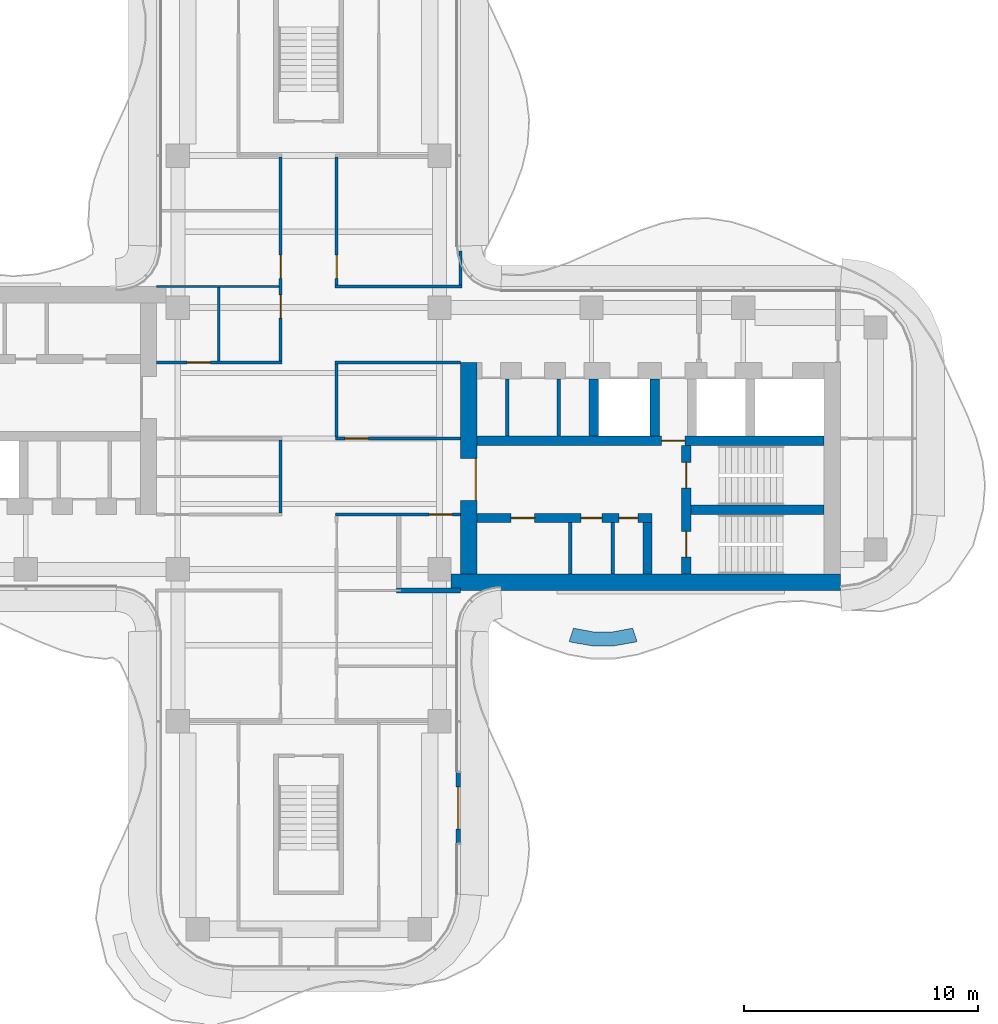
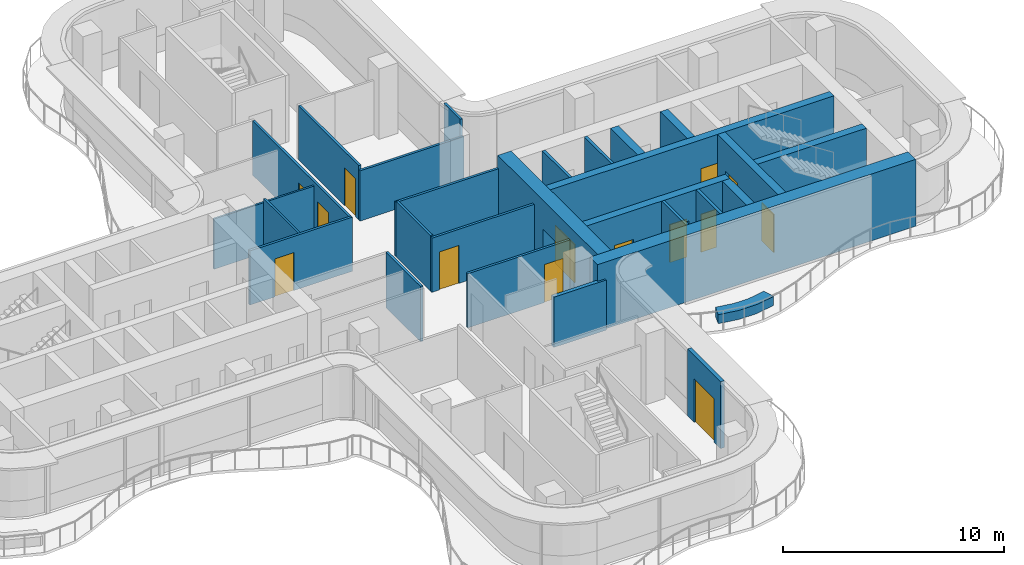
# One storey, part 12 of 16: 28 walls, 14 doors, 14 openings.
"""IFC4 building model written with IfcOpenShell, lengths in metres."""

from ifc_helpers import new_model, si_unit, direction, frame, frame_2d, origin, place, context, subcontext, project, spatial, polyline, rectangle, outline, extrude, source, transform, mapped, material, layer, layer_set, type_object, element, fill, save


model = new_model("IFC4")

# Units and contexts
model_context = context("Model", 3, precision=1e-05, world=origin(), true_north=direction((0.0, 1.0)))
body_context = subcontext(model_context, "Body", "Model", "MODEL_VIEW")
ifc_project = project(units=[si_unit("LENGTHUNIT", "METRE"), si_unit("AREAUNIT", "SQUARE_METRE"), si_unit("VOLUMEUNIT", "CUBIC_METRE"), si_unit("PLANEANGLEUNIT", "RADIAN"), si_unit("MASSUNIT", "GRAM", prefix="KILO")], contexts=[model_context])

# Site, building, storey
site_placement = place(None, origin())
site = spatial("IfcSite", under=ifc_project, at=site_placement, CompositionType="ELEMENT")
building_placement = place(site_placement, origin())
building = spatial("IfcBuilding", under=site, at=building_placement, Name="Trellis Farm Tower", CompositionType="ELEMENT")
storey_placement = place(building_placement, frame((0.0, 0.0, 291.10009765625)))
storey = spatial("IfcBuildingStorey", under=building, at=storey_placement, Name="L65", CompositionType="ELEMENT", Elevation=291.10009765625)

# Walls
ifc_material_1 = material(Name="Lightweight blockwork, plastered", Category="masonry")
ifc_layer_1 = layer(ifc_material_1, 0.199951171875)
ifc_layer_set_1 = layer_set([ifc_layer_1], Name="BLOCK WALL 200 EI 120")
wall_type_1 = type_object("IfcWallType", Name="BLOCK WALL 200 EI 120", PredefinedType="PARTITIONING", material=ifc_layer_set_1)
wall_1_placement = place(storey_placement, frame((3.75, -6.5, 0.0), z_axis=(0.0, 0.0, 1.0), x_axis=(1.0, 0.0, 0.0)))
element("IfcWall", 1, at=wall_1_placement, inside=storey, type_object=wall_type_1, Name="Partition PW3", PredefinedType="PARTITIONING", context=body_context, shape_type="SweptSolid", body=[
    extrude(rectangle(XDim=2.75, YDim=0.199951171875, at=frame_2d((1.375, 0.0))), origin(), (0.0, 0.0, 1.0), 2.77978515625),
])
ifc_material_2 = material(Name="Sandstone faced masonry planter", Category="masonry")
ifc_layer_2 = layer(ifc_material_2, 0.60009765625)
ifc_layer_set_2 = layer_set([ifc_layer_2], Name="PLANTER BED 600")
wall_type_2 = type_object("IfcWallType", Name="PLANTER BED 600", PredefinedType="USERDEFINED", material=ifc_layer_set_2)
wall_2_placement = place(storey_placement, origin())
element("IfcWall", 2, at=wall_2_placement, inside=storey, type_object=wall_type_2, Name="PLANTER bed", ObjectType="PLANTER", PredefinedType="USERDEFINED", context=body_context, shape_type="SweptSolid", body=[
    extrude(outline(polyline([(13.04443359375, -8.876220703125), (12.141845703125, -8.875732421875), (11.231689453125, -8.714599609375), (11.141357421875, -8.68505859375), (11.328125, -8.114990234375), (12.194580078125, -8.275634765625), (12.9921875, -8.276123046875), (13.8642578125, -8.114990234375), (14.05126953125, -8.68505859375), (13.960205078125, -8.71484375), (13.04443359375, -8.876220703125)])), origin(), (0.0, 0.0, 1.0), 0.5),
])

# Wall, opening, door
ifc_material_3 = material(Name="Concrete C50/60", Category="concrete")
ifc_layer_3 = layer(ifc_material_3, 0.699951171875)
ifc_layer_set_3 = layer_set([ifc_layer_3], Name="CORE OUTER WALL 700 CONCRETE C50/60")
wall_type_3 = type_object("IfcWallType", Name="CORE OUTER WALL 700 CONCRETE C50/60", PredefinedType="SHEAR", material=ifc_layer_set_3)
shared_shape_1 = source(origin(), body_context, "Body", "SweptSolid", [
    extrude(rectangle(XDim=9.050048828125, YDim=0.699951171875, at=frame_2d((4.52490234375, 0.0))), origin(), (0.0, 0.0, 1.0), 3.699951171875),
])
wall_3_placement = place(storey_placement, frame((6.85009765625, -5.800048828125, 0.0), z_axis=(0.0, 0.0, 1.0), x_axis=(0.0, 1.0, 0.0)))
wall_3 = element("IfcWall", 3, at=wall_3_placement, inside=storey, type_object=wall_type_3, Name="Core wall", PredefinedType="SHEAR", context=body_context, shape_type="MappedRepresentation", body=[
    mapped(shared_shape_1, transform((0.0, 0.0, 0.0))),
])
shared_shape_2 = source(origin(), body_context, "Body", "SweptSolid", [
    extrude(rectangle(XDim=1.800048828125, YDim=2.10009765625, at=frame_2d((0.89990234375, 1.050048828125))), frame((0.0, 0.360107421875, 0.0), z_axis=(0.0, -1.0, 0.0), x_axis=(1.0, 0.0, 0.0)), (0.0, 0.0, 1.0), 0.72021484375),
])
opening_1_placement = place(wall_3_placement, frame((3.14990234375, 0.0, 0.0)))
opening_1 = element("IfcOpeningElement", 4, at=opening_1_placement, cuts=wall_3, Name="Opening DC1", PredefinedType="OPENING", context=body_context, shape_type="MappedRepresentation", body=[
    mapped(shared_shape_2, transform((0.0, 0.0, 0.0))),
])
ifc_material_4 = material(Name="Steel", Category="steel")
door_type_1 = type_object("IfcDoorType", Name="CORE FIRE DOOR DOUBLE 1800 X 2100", OperationType="DOUBLE_DOOR_SINGLE_SWING", PredefinedType="DOOR", material=ifc_material_4)
shared_shape_3 = source(origin(), body_context, "Body", "SweptSolid", [
    extrude(rectangle(XDim=1.800048828125, YDim=2.10009765625, at=frame_2d((0.89990234375, 1.050048828125))), frame((0.0, -0.27490234375, 0.0), z_axis=(0.0, -1.0, 0.0), x_axis=(1.0, 0.0, 0.0)), (0.0, 0.0, 1.0), 0.050048828125),
])
door_1_placement = place(opening_1_placement, origin())
door_1 = element("IfcDoor", 5, at=door_1_placement, inside=storey, type_object=door_type_1, Name="Core door", OperationType="DOUBLE_DOOR_SINGLE_SWING", OverallHeight=2.10009765625, OverallWidth=1.800048828125, PredefinedType="DOOR", context=body_context, shape_type="MappedRepresentation", body=[
    mapped(shared_shape_3, transform((0.0, 0.0, 0.0))),
])
fill(opening_1, door_1)

# Walls
ifc_layer_4 = layer(ifc_material_3, 0.39990234375)
ifc_layer_set_4 = layer_set([ifc_layer_4], Name="CORE INNER WALL 400 CONCRETE C50/60")
wall_type_4 = type_object("IfcWallType", Name="CORE INNER WALL 400 CONCRETE C50/60", PredefinedType="SHEAR", material=ifc_layer_set_4)
shared_shape_4 = source(origin(), body_context, "Body", "SweptSolid", [
    extrude(rectangle(XDim=2.449951171875, YDim=0.39990234375, at=frame_2d((1.22509765625, 0.0))), origin(), (0.0, 0.0, 1.0), 3.699951171875),
])
for number, where, z_axis, x_axis, name in (
    (6, (12.199951171875, 0.10009765625, 0.0), (0.0, 0.0, 1.0), (0.0, 1.0, 0.0), "Core wall"),
    (7, (14.800048828125, 0.10009765625, 0.0), (0.0, 0.0, 1.0), (0.0, 1.0, 0.0), "Core wall"),
):
    element("IfcWall", number, at=place(storey_placement, frame(where, z_axis=z_axis, x_axis=x_axis)), inside=storey, type_object=wall_type_4, Name=name, PredefinedType="SHEAR", context=body_context, shape_type="MappedRepresentation", body=[
        mapped(shared_shape_4, transform((0.0, 0.0, 0.0))),
    ])

# Wall, openings, doors
shared_shape_5 = source(origin(), body_context, "Body", "SweptSolid", [
    extrude(rectangle(XDim=7.5, YDim=0.39990234375, at=frame_2d((3.75, 0.0))), origin(), (0.0, 0.0, 1.0), 3.699951171875),
])
wall_4_placement = place(storey_placement, frame((7.199951171875, -3.39990234375, 0.0), z_axis=(0.0, 0.0, 1.0), x_axis=(1.0, 0.0, 0.0)))
wall_4 = element("IfcWall", 8, at=wall_4_placement, inside=storey, type_object=wall_type_4, Name="Core wall", PredefinedType="SHEAR", context=body_context, shape_type="MappedRepresentation", body=[
    mapped(shared_shape_5, transform((0.0, 0.0, 0.0))),
])
shared_shape_6 = source(origin(), body_context, "Body", "SweptSolid", [
    extrude(rectangle(XDim=1.0, YDim=2.10009765625, at=frame_2d((0.5, 1.050048828125))), frame((0.0, 0.2099609375, 0.0), z_axis=(0.0, -1.0, 0.0), x_axis=(1.0, 0.0, 0.0)), (0.0, 0.0, 1.0), 0.419921875),
])
opening_2_placement = place(wall_4_placement, frame((1.46240234375, 0.0, 0.0)))
opening_2 = element("IfcOpeningElement", 9, at=opening_2_placement, cuts=wall_4, Name="Opening DC55", PredefinedType="OPENING", context=body_context, shape_type="MappedRepresentation", body=[
    mapped(shared_shape_6, transform((0.0, 0.0, 0.0))),
])
shared_shape_7 = source(origin(), body_context, "Body", "SweptSolid", [
    extrude(rectangle(XDim=0.89990234375, YDim=2.10009765625, at=frame_2d((0.449951171875, 1.050048828125))), frame((0.0, 0.2099609375, 0.0), z_axis=(0.0, -1.0, 0.0), x_axis=(1.0, 0.0, 0.0)), (0.0, 0.0, 1.0), 0.419921875),
])
opening_3_placement = place(wall_4_placement, frame((4.449951171875, 0.0, 0.0)))
opening_3 = element("IfcOpeningElement", 10, at=opening_3_placement, cuts=wall_4, Name="Opening DC60", PredefinedType="OPENING", context=body_context, shape_type="MappedRepresentation", body=[
    mapped(shared_shape_7, transform((0.0, 0.0, 0.0))),
])
shared_shape_8 = source(origin(), body_context, "Body", "SweptSolid", [
    extrude(rectangle(XDim=0.800048828125, YDim=2.10009765625, at=frame_2d((0.39990234375, 1.050048828125))), frame((0.0, 0.2099609375, 0.0), z_axis=(0.0, -1.0, 0.0), x_axis=(1.0, 0.0, 0.0)), (0.0, 0.0, 1.0), 0.419921875),
])
opening_4_placement = place(wall_4_placement, frame((6.08740234375, 0.0, 0.0)))
opening_4 = element("IfcOpeningElement", 11, at=opening_4_placement, cuts=wall_4, Name="Opening DC63", PredefinedType="OPENING", context=body_context, shape_type="MappedRepresentation", body=[
    mapped(shared_shape_8, transform((0.0, 0.0, 0.0))),
])
door_type_2 = type_object("IfcDoorType", Name="CORE FIRE DOOR 1000 X 2100", OperationType="NOTDEFINED", PredefinedType="DOOR", material=ifc_material_4)
shared_shape_9 = source(origin(), body_context, "Body", "SweptSolid", [
    extrude(rectangle(XDim=1.0, YDim=2.10009765625, at=frame_2d((0.5, 1.050048828125))), frame((0.0, 0.02490234375, 0.0), z_axis=(0.0, -1.0, 0.0), x_axis=(1.0, 0.0, 0.0)), (0.0, 0.0, 1.0), 0.050048828125),
])
door_2_placement = place(opening_2_placement, origin())
door_2 = element("IfcDoor", 12, at=door_2_placement, inside=storey, type_object=door_type_2, Name="Core door", OperationType="SINGLE_SWING_LEFT", OverallHeight=2.10009765625, OverallWidth=1.0, PredefinedType="DOOR", context=body_context, shape_type="MappedRepresentation", body=[
    mapped(shared_shape_9, transform((0.0, 0.0, 0.0))),
])
fill(opening_2, door_2)
door_type_3 = type_object("IfcDoorType", Name="CORE FIRE DOOR 900 X 2100", OperationType="NOTDEFINED", PredefinedType="DOOR", material=ifc_material_4)
shared_shape_10 = source(origin(), body_context, "Body", "SweptSolid", [
    extrude(rectangle(XDim=0.89990234375, YDim=2.10009765625, at=frame_2d((0.449951171875, 1.050048828125))), frame((0.0, 0.02490234375, 0.0), z_axis=(0.0, -1.0, 0.0), x_axis=(1.0, 0.0, 0.0)), (0.0, 0.0, 1.0), 0.050048828125),
])
door_3_placement = place(opening_3_placement, origin())
door_3 = element("IfcDoor", 13, at=door_3_placement, inside=storey, type_object=door_type_3, Name="Core door", OperationType="SINGLE_SWING_RIGHT", OverallHeight=2.10009765625, OverallWidth=0.89990234375, PredefinedType="DOOR", context=body_context, shape_type="MappedRepresentation", body=[
    mapped(shared_shape_10, transform((0.0, 0.0, 0.0))),
])
fill(opening_3, door_3)
door_type_4 = type_object("IfcDoorType", Name="CORE FIRE DOOR 800 X 2100", OperationType="NOTDEFINED", PredefinedType="DOOR", material=ifc_material_4)
shared_shape_11 = source(origin(), body_context, "Body", "SweptSolid", [
    extrude(rectangle(XDim=0.800048828125, YDim=2.10009765625, at=frame_2d((0.39990234375, 1.050048828125))), frame((0.0, 0.02490234375, 0.0), z_axis=(0.0, -1.0, 0.0), x_axis=(1.0, 0.0, 0.0)), (0.0, 0.0, 1.0), 0.050048828125),
])
door_4_placement = place(opening_4_placement, origin())
door_4 = element("IfcDoor", 14, at=door_4_placement, inside=storey, type_object=door_type_4, Name="Core door", OperationType="SINGLE_SWING_LEFT", OverallHeight=2.10009765625, OverallWidth=0.800048828125, PredefinedType="DOOR", context=body_context, shape_type="MappedRepresentation", body=[
    mapped(shared_shape_11, transform((0.0, 0.0, 0.0))),
])
fill(opening_4, door_4)

# Wall, opening, door
shared_shape_12 = source(origin(), body_context, "Body", "SweptSolid", [
    extrude(rectangle(XDim=14.85009765625, YDim=0.39990234375, at=frame_2d((7.425048828125, 0.0))), origin(), (0.0, 0.0, 1.0), 3.699951171875),
])
wall_5_placement = place(storey_placement, frame((7.199951171875, -0.10009765625, 0.0), z_axis=(0.0, 0.0, 1.0), x_axis=(1.0, 0.0, 0.0)))
wall_5 = element("IfcWall", 15, at=wall_5_placement, inside=storey, type_object=wall_type_4, Name="Core wall", PredefinedType="SHEAR", context=body_context, shape_type="MappedRepresentation", body=[
    mapped(shared_shape_12, transform((0.0, 0.0, 0.0))),
])
opening_5_placement = place(wall_5_placement, frame((7.89990234375, 0.0, 0.0)))
opening_5 = element("IfcOpeningElement", 16, at=opening_5_placement, cuts=wall_5, Name="Opening DC5", PredefinedType="OPENING", context=body_context, shape_type="MappedRepresentation", body=[
    mapped(shared_shape_6, transform((0.0, 0.0, 0.0))),
])
door_5_placement = place(opening_5_placement, origin())
door_5 = element("IfcDoor", 17, at=door_5_placement, inside=storey, type_object=door_type_2, Name="Core door", OperationType="SINGLE_SWING_RIGHT", OverallHeight=2.10009765625, OverallWidth=1.0, PredefinedType="DOOR", context=body_context, shape_type="MappedRepresentation", body=[
    mapped(shared_shape_9, transform((0.0, 0.0, 0.0))),
])
fill(opening_5, door_5)

# Wall, openings, doors
shared_shape_13 = source(origin(), body_context, "Body", "SweptSolid", [
    extrude(rectangle(XDim=5.5, YDim=0.39990234375, at=frame_2d((2.75, 0.0))), origin(), (0.0, 0.0, 1.0), 3.699951171875),
])
wall_6_placement = place(storey_placement, frame((16.14990234375, -5.800048828125, 0.0), z_axis=(0.0, 0.0, 1.0), x_axis=(0.0, 1.0, 0.0)))
wall_6 = element("IfcWall", 18, at=wall_6_placement, inside=storey, type_object=wall_type_4, Name="Core wall", PredefinedType="SHEAR", context=body_context, shape_type="MappedRepresentation", body=[
    mapped(shared_shape_13, transform((0.0, 0.0, 0.0))),
])
shared_shape_14 = source(origin(), body_context, "Body", "SweptSolid", [
    extrude(rectangle(XDim=1.10009765625, YDim=2.10009765625, at=frame_2d((0.550048828125, 1.050048828125))), frame((0.0, 0.2099609375, 0.0), z_axis=(0.0, -1.0, 0.0), x_axis=(1.0, 0.0, 0.0)), (0.0, 0.0, 1.0), 0.419921875),
])
opening_6_placement = place(wall_6_placement, frame((0.72509765625, 0.0, 0.0)))
opening_6 = element("IfcOpeningElement", 19, at=opening_6_placement, cuts=wall_6, Name="Opening DC2", PredefinedType="OPENING", context=body_context, shape_type="MappedRepresentation", body=[
    mapped(shared_shape_14, transform((0.0, 0.0, 0.0))),
])
opening_7_placement = place(wall_6_placement, frame((3.675048828125, 0.0, 0.0)))
opening_7 = element("IfcOpeningElement", 20, at=opening_7_placement, cuts=wall_6, Name="Opening DC3", PredefinedType="OPENING", context=body_context, shape_type="MappedRepresentation", body=[
    mapped(shared_shape_14, transform((0.0, 0.0, 0.0))),
])
door_type_5 = type_object("IfcDoorType", Name="CORE FIRE DOOR 1100 X 2100", OperationType="NOTDEFINED", PredefinedType="DOOR", material=ifc_material_4)
shared_shape_15 = source(origin(), body_context, "Body", "SweptSolid", [
    extrude(rectangle(XDim=1.10009765625, YDim=2.10009765625, at=frame_2d((0.550048828125, 1.050048828125))), frame((0.0, 0.02490234375, 0.0), z_axis=(0.0, -1.0, 0.0), x_axis=(1.0, 0.0, 0.0)), (0.0, 0.0, 1.0), 0.050048828125),
])
door_6_placement = place(opening_6_placement, origin())
door_6 = element("IfcDoor", 21, at=door_6_placement, inside=storey, type_object=door_type_5, Name="Core door", OperationType="SINGLE_SWING_RIGHT", OverallHeight=2.10009765625, OverallWidth=1.10009765625, PredefinedType="DOOR", context=body_context, shape_type="MappedRepresentation", body=[
    mapped(shared_shape_15, transform((0.0, 0.0, 0.0))),
])
fill(opening_6, door_6)
door_7_placement = place(opening_7_placement, origin())
door_7 = element("IfcDoor", 22, at=door_7_placement, inside=storey, type_object=door_type_5, Name="Core door", OperationType="SINGLE_SWING_LEFT", OverallHeight=2.10009765625, OverallWidth=1.10009765625, PredefinedType="DOOR", context=body_context, shape_type="MappedRepresentation", body=[
    mapped(shared_shape_15, transform((0.0, 0.0, 0.0))),
])
fill(opening_7, door_7)

# Walls
shared_shape_16 = source(origin(), body_context, "Body", "SweptSolid", [
    extrude(rectangle(XDim=5.699951171875, YDim=0.39990234375, at=frame_2d((2.85009765625, 0.0))), origin(), (0.0, 0.0, 1.0), 3.699951171875),
])
wall_7_placement = place(storey_placement, frame((16.35009765625, -3.050048828125, 0.0), z_axis=(0.0, 0.0, 1.0), x_axis=(1.0, 0.0, 0.0)))
element("IfcWall", 23, at=wall_7_placement, inside=storey, type_object=wall_type_4, Name="Core wall", PredefinedType="SHEAR", context=body_context, shape_type="MappedRepresentation", body=[
    mapped(shared_shape_16, transform((0.0, 0.0, 0.0))),
])
shared_shape_17 = source(origin(), body_context, "Body", "SweptSolid", [
    extrude(rectangle(XDim=2.199951171875, YDim=0.39990234375, at=frame_2d((1.10009765625, 0.0))), origin(), (0.0, 0.0, 1.0), 3.699951171875),
])
wall_8_placement = place(storey_placement, frame((14.5, -5.800048828125, 0.0), z_axis=(0.0, 0.0, 1.0), x_axis=(0.0, 1.0, 0.0)))
element("IfcWall", 24, at=wall_8_placement, inside=storey, type_object=wall_type_4, Name="Core wall", PredefinedType="SHEAR", context=body_context, shape_type="MappedRepresentation", body=[
    mapped(shared_shape_17, transform((0.0, 0.0, 0.0))),
])
ifc_material_5 = material(Name="Masonry blockwork", Category="masonry")
ifc_layer_5 = layer(ifc_material_5, 0.14990234375)
ifc_layer_set_5 = layer_set([ifc_layer_5], Name="CORE PARTITION 150 BLOCKWORK")
wall_type_5 = type_object("IfcWallType", Name="CORE PARTITION 150 BLOCKWORK", PredefinedType="PARTITIONING", material=ifc_layer_set_5)
shared_shape_18 = source(origin(), body_context, "Body", "SweptSolid", [
    extrude(rectangle(XDim=2.199951171875, YDim=0.14990234375, at=frame_2d((1.10009765625, 0.0))), origin(), (0.0, 0.0, 1.0), 3.699951171875),
])
for number, where, z_axis, x_axis, name in (
    (25, (11.199951171875, -5.800048828125, 0.0), (0.0, 0.0, 1.0), (0.0, 1.0, 0.0), "Core room partition"),
    (26, (13.0, -5.800048828125, 0.0), (0.0, 0.0, 1.0), (0.0, 1.0, 0.0), "Core room partition"),
):
    element("IfcWall", number, at=place(storey_placement, frame(where, z_axis=z_axis, x_axis=x_axis)), inside=storey, type_object=wall_type_5, Name=name, PredefinedType="PARTITIONING", context=body_context, shape_type="MappedRepresentation", body=[
        mapped(shared_shape_18, transform((0.0, 0.0, 0.0))),
    ])
shared_shape_19 = source(origin(), body_context, "Body", "SweptSolid", [
    extrude(rectangle(XDim=16.64990234375, YDim=0.699951171875, at=frame_2d((8.324951171875, 0.0))), origin(), (0.0, 0.0, 1.0), 3.699951171875),
])
wall_9_placement = place(storey_placement, frame((6.10009765625, -6.14990234375, 0.0), z_axis=(0.0, 0.0, 1.0), x_axis=(1.0, 0.0, 0.0)))
element("IfcWall", 27, at=wall_9_placement, inside=storey, type_object=wall_type_3, Name="Core wall", PredefinedType="SHEAR", context=body_context, shape_type="MappedRepresentation", body=[
    mapped(shared_shape_19, transform((0.0, 0.0, 0.0))),
])
shared_shape_20 = source(origin(), body_context, "Body", "SweptSolid", [
    extrude(rectangle(XDim=2.449951171875, YDim=0.14990234375, at=frame_2d((1.22509765625, 0.0))), origin(), (0.0, 0.0, 1.0), 3.699951171875),
])
for number, where, z_axis, x_axis, name in (
    (28, (8.5, 0.10009765625, 0.0), (0.0, 0.0, 1.0), (0.0, 1.0, 0.0), "Core room partition"),
    (29, (10.699951171875, 0.10009765625, 0.0), (0.0, 0.0, 1.0), (0.0, 1.0, 0.0), "Core room partition"),
):
    element("IfcWall", number, at=place(storey_placement, frame(where, z_axis=z_axis, x_axis=x_axis)), inside=storey, type_object=wall_type_5, Name=name, PredefinedType="PARTITIONING", context=body_context, shape_type="MappedRepresentation", body=[
        mapped(shared_shape_20, transform((0.0, 0.0, 0.0))),
    ])

# Wall, opening, door
ifc_material_6 = material(Name="Sandstone faced insulated wall", Category="masonry")
ifc_layer_6 = layer(ifc_material_6, 0.199951171875)
ifc_layer_set_6 = layer_set([ifc_layer_6], Name="EXTERNAL INFILL WALL 200")
wall_type_6 = type_object("IfcWallType", Name="EXTERNAL INFILL WALL 200", PredefinedType="SOLIDWALL", material=ifc_layer_set_6)
shared_shape_21 = source(origin(), body_context, "Body", "SweptSolid", [
    extrude(rectangle(XDim=3.0, YDim=0.199951171875, at=frame_2d((1.5, 0.0))), origin(), (0.0, 0.0, 1.0), 3.699951171875),
])
wall_10_placement = place(storey_placement, frame((6.39990234375, -17.300048828125, 0.0), z_axis=(0.0, 0.0, 1.0), x_axis=(0.0, 1.0, 0.0)))
wall_10 = element("IfcWall", 30, at=wall_10_placement, inside=storey, type_object=wall_type_6, Name="EW1 01", PredefinedType="SOLIDWALL", context=body_context, shape_type="MappedRepresentation", body=[
    mapped(shared_shape_21, transform((0.0, 0.0, 0.0))),
])
shared_shape_22 = source(origin(), body_context, "Body", "SweptSolid", [
    extrude(rectangle(XDim=1.800048828125, YDim=2.39990234375, at=frame_2d((0.89990234375, 1.199951171875))), frame((0.0, 0.110107421875, 0.0), z_axis=(0.0, -1.0, 0.0), x_axis=(1.0, 0.0, 0.0)), (0.0, 0.0, 1.0), 0.22021484375),
])
opening_8_placement = place(wall_10_placement, frame((0.60009765625, 0.0, 0.0)))
opening_8 = element("IfcOpeningElement", 31, at=opening_8_placement, cuts=wall_10, Name="Opening ED1", PredefinedType="OPENING", context=body_context, shape_type="MappedRepresentation", body=[
    mapped(shared_shape_22, transform((0.0, 0.0, 0.0))),
])
ifc_material_7 = material(Name="Aluminium framed glazed door", Category="aluminium")
door_type_6 = type_object("IfcDoorType", Name="BALCONY DOOR 1800x2400", OperationType="DOUBLE_DOOR_SINGLE_SWING", PredefinedType="DOOR", material=ifc_material_7)
shared_shape_23 = source(origin(), body_context, "Body", "SweptSolid", [
    extrude(rectangle(XDim=1.800048828125, YDim=2.39990234375, at=frame_2d((0.89990234375, 1.199951171875))), frame((0.0, 0.02490234375, 0.0), z_axis=(0.0, -1.0, 0.0), x_axis=(1.0, 0.0, 0.0)), (0.0, 0.0, 1.0), 0.050048828125),
])
door_8_placement = place(opening_8_placement, origin())
door_8 = element("IfcDoor", 32, at=door_8_placement, inside=storey, type_object=door_type_6, Name="Balcony door", OperationType="DOUBLE_DOOR_SINGLE_SWING", OverallHeight=2.39990234375, OverallWidth=1.800048828125, PredefinedType="DOOR", context=body_context, shape_type="MappedRepresentation", body=[
    mapped(shared_shape_23, transform((0.0, 0.0, 0.0))),
])
fill(opening_8, door_8)

ifc_material_8 = material(Name="Plasterboard on steel studs, mineral wool", Category="steel")
ifc_layer_7 = layer(ifc_material_8, 0.125)
ifc_layer_set_7 = layer_set([ifc_layer_7], Name="PARTITION 125 STUD EI 60")
wall_type_7 = type_object("IfcWallType", Name="PARTITION 125 STUD EI 60", PredefinedType="PARTITIONING", material=ifc_layer_set_7)
shared_shape_24 = source(origin(), body_context, "Body", "SweptSolid", [
    extrude(rectangle(XDim=5.47509765625, YDim=0.125, at=frame_2d((2.737548828125, 0.0))), origin(), (0.0, 0.0, 1.0), 2.99658203125),
])
wall_11_placement = place(storey_placement, frame((1.199951171875, 12.03759765625, 0.0), z_axis=(0.0, 0.0, 1.0), x_axis=(0.0, -1.0, 0.0)))
wall_11 = element("IfcWall", 33, at=wall_11_placement, inside=storey, type_object=wall_type_7, Name="Partition PW1", PredefinedType="PARTITIONING", context=body_context, shape_type="MappedRepresentation", body=[
    mapped(shared_shape_24, transform((0.0, 0.0, 0.0))),
])
shared_shape_25 = source(origin(), body_context, "Body", "SweptSolid", [
    extrude(rectangle(XDim=1.0, YDim=2.10009765625, at=frame_2d((0.5, 1.050048828125))), frame((0.0, 0.072509765625, 0.0), z_axis=(0.0, -1.0, 0.0), x_axis=(1.0, 0.0, 0.0)), (0.0, 0.0, 1.0), 0.14501953125),
])
opening_9_placement = place(wall_11_placement, frame((4.1875, 0.0, 0.0)))
opening_9 = element("IfcOpeningElement", 34, at=opening_9_placement, cuts=wall_11, Name="Opening D111", PredefinedType="OPENING", context=body_context, shape_type="MappedRepresentation", body=[
    mapped(shared_shape_25, transform((0.0, 0.0, 0.0))),
])
ifc_material_9 = material(Name="Fire-rated timber door leaf in a hollow metal frame", Category="wood")
door_type_7 = type_object("IfcDoorType", Name="DOOR 1000x2100 FD30S", OperationType="NOTDEFINED", PredefinedType="DOOR", material=ifc_material_9)
door_9_placement = place(opening_9_placement, origin())
door_9 = element("IfcDoor", 35, at=door_9_placement, inside=storey, type_object=door_type_7, Name="Door D111", OperationType="SINGLE_SWING_RIGHT", OverallHeight=2.10009765625, OverallWidth=1.0, PredefinedType="DOOR", context=body_context, shape_type="MappedRepresentation", body=[
    mapped(shared_shape_9, transform((0.0, 0.0, 0.0))),
])
fill(opening_9, door_9)

# Wall
shared_shape_26 = source(origin(), body_context, "Body", "SweptSolid", [
    extrude(rectangle(XDim=1.468994140625, YDim=0.125, at=frame_2d((0.734375, 0.0))), origin(), (0.0, 0.0, 1.0), 3.699951171875),
])
wall_12_placement = place(storey_placement, frame((6.5, 6.5625, 0.0), z_axis=(0.0, 0.0, 1.0), x_axis=(0.0, 1.0, 0.0)))
element("IfcWall", 36, at=wall_12_placement, inside=storey, type_object=wall_type_7, Name="Partition PW1", PredefinedType="PARTITIONING", context=body_context, shape_type="MappedRepresentation", body=[
    mapped(shared_shape_26, transform((0.0, 0.0, 0.0))),
])

# Wall, opening, door
shared_shape_27 = source(origin(), body_context, "Body", "SweptSolid", [
    extrude(rectangle(XDim=5.362548828125, YDim=0.125, at=frame_2d((2.68115234375, 0.0))), origin(), (0.0, 0.0, 1.0), 2.99658203125),
])
wall_13_placement = place(storey_placement, frame((6.5, -3.25, 0.0), z_axis=(0.0, 0.0, 1.0), x_axis=(-1.0, 0.0, 0.0)))
wall_13 = element("IfcWall", 37, at=wall_13_placement, inside=storey, type_object=wall_type_7, Name="Partition PW1", PredefinedType="PARTITIONING", context=body_context, shape_type="MappedRepresentation", body=[
    mapped(shared_shape_27, transform((0.0, 0.0, 0.0))),
])
opening_10_placement = place(wall_13_placement, frame((0.35009765625, 0.0, 0.0)))
opening_10 = element("IfcOpeningElement", 38, at=opening_10_placement, cuts=wall_13, Name="Opening D301", PredefinedType="OPENING", context=body_context, shape_type="MappedRepresentation", body=[
    mapped(shared_shape_25, transform((0.0, 0.0, 0.0))),
])
door_type_8 = type_object("IfcDoorType", Name="DOOR 1000x2100 FD60", OperationType="NOTDEFINED", PredefinedType="DOOR", material=ifc_material_9)
door_10_placement = place(opening_10_placement, origin())
door_10 = element("IfcDoor", 39, at=door_10_placement, inside=storey, type_object=door_type_8, Name="Door D301", OperationType="SINGLE_SWING_LEFT", OverallHeight=2.10009765625, OverallWidth=1.0, PredefinedType="DOOR", context=body_context, shape_type="MappedRepresentation", body=[
    mapped(shared_shape_9, transform((0.0, 0.0, 0.0))),
])
fill(opening_10, door_10)

wall_14_placement = place(storey_placement, frame((6.5, 0.0, 0.0), z_axis=(0.0, 0.0, 1.0), x_axis=(-1.0, 0.0, 0.0)))
wall_14 = element("IfcWall", 40, at=wall_14_placement, inside=storey, type_object=wall_type_7, Name="Partition PW1", PredefinedType="PARTITIONING", context=body_context, shape_type="MappedRepresentation", body=[
    mapped(shared_shape_27, transform((0.0, 0.0, 0.0))),
])
opening_11_placement = place(wall_14_placement, frame((3.949951171875, 0.0, 0.0)))
opening_11 = element("IfcOpeningElement", 41, at=opening_11_placement, cuts=wall_14, Name="Opening D106", PredefinedType="OPENING", context=body_context, shape_type="MappedRepresentation", body=[
    mapped(shared_shape_25, transform((0.0, 0.0, 0.0))),
])
door_11_placement = place(opening_11_placement, origin())
door_11 = element("IfcDoor", 42, at=door_11_placement, inside=storey, type_object=door_type_7, Name="Door D106", OperationType="SINGLE_SWING_RIGHT", OverallHeight=2.10009765625, OverallWidth=1.0, PredefinedType="DOOR", context=body_context, shape_type="MappedRepresentation", body=[
    mapped(shared_shape_9, transform((0.0, 0.0, 0.0))),
])
fill(opening_11, door_11)

wall_15_placement = place(storey_placement, frame((-6.5, 3.25, 0.0), z_axis=(0.0, 0.0, 1.0), x_axis=(1.0, 0.0, 0.0)))
wall_15 = element("IfcWall", 43, at=wall_15_placement, inside=storey, type_object=wall_type_7, Name="Partition PW1", PredefinedType="PARTITIONING", context=body_context, shape_type="MappedRepresentation", body=[
    mapped(shared_shape_27, transform((0.0, 0.0, 0.0))),
])
opening_12_placement = place(wall_15_placement, frame((1.300048828125, 0.0, 0.0)))
opening_12 = element("IfcOpeningElement", 44, at=opening_12_placement, cuts=wall_15, Name="Opening D108", PredefinedType="OPENING", context=body_context, shape_type="MappedRepresentation", body=[
    mapped(shared_shape_25, transform((0.0, 0.0, 0.0))),
])
door_12_placement = place(opening_12_placement, origin())
door_12 = element("IfcDoor", 45, at=door_12_placement, inside=storey, type_object=door_type_7, Name="Door D108", OperationType="SINGLE_SWING_RIGHT", OverallHeight=2.10009765625, OverallWidth=1.0, PredefinedType="DOOR", context=body_context, shape_type="MappedRepresentation", body=[
    mapped(shared_shape_9, transform((0.0, 0.0, 0.0))),
])
fill(opening_12, door_12)

# Wall
wall_16_placement = place(storey_placement, frame((1.137451171875, 3.25, 0.0), z_axis=(0.0, 0.0, 1.0), x_axis=(1.0, 0.0, 0.0)))
element("IfcWall", 46, at=wall_16_placement, inside=storey, type_object=wall_type_7, Name="Partition PW1", PredefinedType="PARTITIONING", context=body_context, shape_type="MappedRepresentation", body=[
    mapped(shared_shape_27, transform((0.0, 0.0, 0.0))),
])

# Wall, openings, doors
shared_shape_28 = source(origin(), body_context, "Body", "SweptSolid", [
    extrude(rectangle(XDim=8.72509765625, YDim=0.125, at=frame_2d((4.362548828125, 0.0))), origin(), (0.0, 0.0, 1.0), 2.99658203125),
])
wall_17_placement = place(storey_placement, frame((-1.199951171875, 12.03759765625, 0.0), z_axis=(0.0, 0.0, 1.0), x_axis=(0.0, -1.0, 0.0)))
wall_17 = element("IfcWall", 47, at=wall_17_placement, inside=storey, type_object=wall_type_7, Name="Partition PW1", PredefinedType="PARTITIONING", context=body_context, shape_type="MappedRepresentation", body=[
    mapped(shared_shape_28, transform((0.0, 0.0, 0.0))),
])
opening_13_placement = place(wall_17_placement, frame((5.887451171875, 0.0, 0.0)))
opening_13 = element("IfcOpeningElement", 48, at=opening_13_placement, cuts=wall_17, Name="Opening D109", PredefinedType="OPENING", context=body_context, shape_type="MappedRepresentation", body=[
    mapped(shared_shape_25, transform((0.0, 0.0, 0.0))),
])
opening_14_placement = place(wall_17_placement, frame((4.1875, 0.0, 0.0)))
opening_14 = element("IfcOpeningElement", 49, at=opening_14_placement, cuts=wall_17, Name="Opening D110", PredefinedType="OPENING", context=body_context, shape_type="MappedRepresentation", body=[
    mapped(shared_shape_25, transform((0.0, 0.0, 0.0))),
])
door_13_placement = place(opening_13_placement, origin())
door_13 = element("IfcDoor", 50, at=door_13_placement, inside=storey, type_object=door_type_7, Name="Door D109", OperationType="SINGLE_SWING_LEFT", OverallHeight=2.10009765625, OverallWidth=1.0, PredefinedType="DOOR", context=body_context, shape_type="MappedRepresentation", body=[
    mapped(shared_shape_9, transform((0.0, 0.0, 0.0))),
])
fill(opening_13, door_13)
door_14_placement = place(opening_14_placement, origin())
door_14 = element("IfcDoor", 51, at=door_14_placement, inside=storey, type_object=door_type_7, Name="Door D110", OperationType="SINGLE_SWING_RIGHT", OverallHeight=2.10009765625, OverallWidth=1.0, PredefinedType="DOOR", context=body_context, shape_type="MappedRepresentation", body=[
    mapped(shared_shape_9, transform((0.0, 0.0, 0.0))),
])
fill(opening_14, door_14)

# Walls
shared_shape_29 = source(origin(), body_context, "Body", "SweptSolid", [
    extrude(rectangle(XDim=3.125, YDim=0.125, at=frame_2d((1.5625, 0.0))), origin(), (0.0, 0.0, 1.0), 3.067626953125),
])
for number, where, z_axis, x_axis, name in (
    (52, (-1.199951171875, -0.0625, 0.0), (0.0, 0.0, 1.0), (0.0, -1.0, 0.0), "Partition PW1"),
    (53, (1.199951171875, 3.1875, 0.0), (0.0, 0.0, 1.0), (0.0, -1.0, 0.0), "Partition PW1"),
):
    element("IfcWall", number, at=place(storey_placement, frame(where, z_axis=z_axis, x_axis=x_axis)), inside=storey, type_object=wall_type_7, Name=name, PredefinedType="PARTITIONING", context=body_context, shape_type="MappedRepresentation", body=[
        mapped(shared_shape_29, transform((0.0, 0.0, 0.0))),
    ])
shared_shape_30 = source(origin(), body_context, "Body", "SweptSolid", [
    extrude(rectangle(XDim=5.425048828125, YDim=0.125, at=frame_2d((2.71240234375, 0.0))), origin(), (0.0, 0.0, 1.0), 2.77978515625),
])
wall_18_placement = place(storey_placement, frame((1.137451171875, 6.5, 0.0), z_axis=(0.0, 0.0, 1.0), x_axis=(1.0, 0.0, 0.0)))
element("IfcWall", 54, at=wall_18_placement, inside=storey, type_object=wall_type_7, Name="Partition PW1", PredefinedType="PARTITIONING", context=body_context, shape_type="MappedRepresentation", body=[
    mapped(shared_shape_30, transform((0.0, 0.0, 0.0))),
])
ifc_material_10 = material(Name="Plasterboard on steel studs", Category="steel")
ifc_layer_8 = layer(ifc_material_10, 0.10009765625)
ifc_layer_set_8 = layer_set([ifc_layer_8], Name="PARTITION 100 STUD EI 30")
wall_type_8 = type_object("IfcWallType", Name="PARTITION 100 STUD EI 30", PredefinedType="PARTITIONING", material=ifc_layer_set_8)
shared_shape_31 = source(origin(), body_context, "Body", "SweptSolid", [
    extrude(rectangle(XDim=5.237548828125, YDim=0.10009765625, at=frame_2d((2.61865234375, 0.0))), origin(), (0.0, 0.0, 1.0), 2.77978515625),
])
wall_19_placement = place(storey_placement, frame((-6.5, 6.5, 0.0), z_axis=(0.0, 0.0, 1.0), x_axis=(1.0, 0.0, 0.0)))
element("IfcWall", 55, at=wall_19_placement, inside=storey, type_object=wall_type_8, Name="Partition PW2", PredefinedType="PARTITIONING", context=body_context, shape_type="MappedRepresentation", body=[
    mapped(shared_shape_31, transform((0.0, 0.0, 0.0))),
])
shared_shape_32 = source(origin(), body_context, "Body", "SweptSolid", [
    extrude(rectangle(XDim=3.137451171875, YDim=0.10009765625, at=frame_2d((1.56884765625, 0.0))), origin(), (0.0, 0.0, 1.0), 2.99658203125),
])
wall_20_placement = place(storey_placement, frame((-3.85009765625, 3.3125, 0.0), z_axis=(0.0, 0.0, 1.0), x_axis=(0.0, 1.0, 0.0)))
element("IfcWall", 56, at=wall_20_placement, inside=storey, type_object=wall_type_8, Name="Partition PW2", PredefinedType="PARTITIONING", context=body_context, shape_type="MappedRepresentation", body=[
    mapped(shared_shape_32, transform((0.0, 0.0, 0.0))),
])

save(model, "model.ifc")
